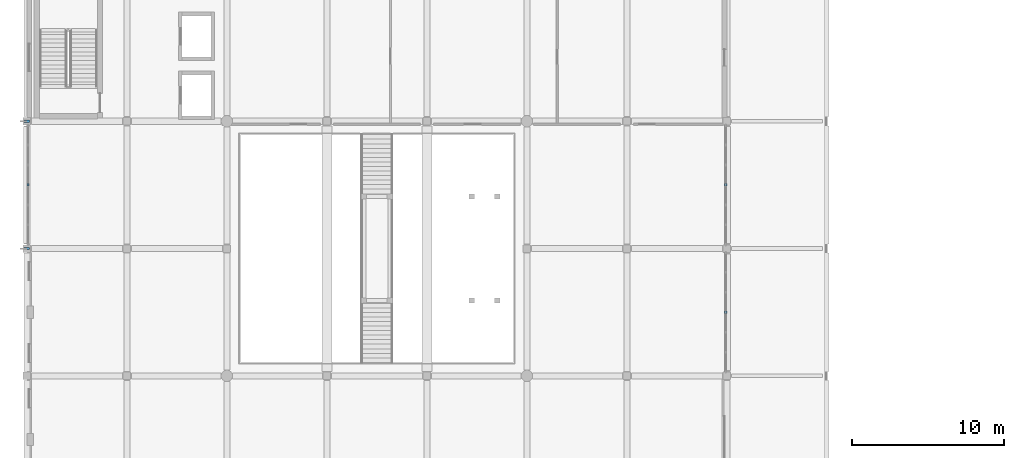
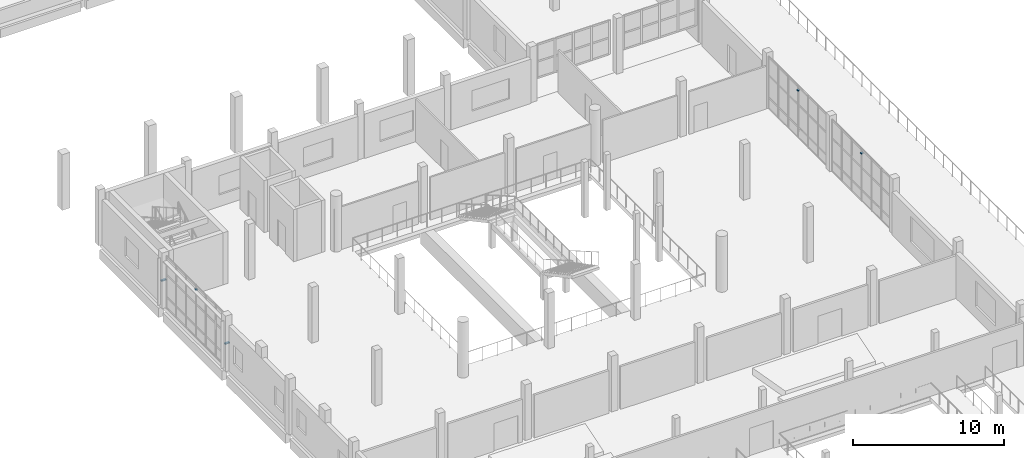
# One storey, part 63 of 83: 5 discrete accessories.
"""IFC4 building model written with IfcOpenShell, lengths in metres."""

from ifc_helpers import new_model, si_unit, direction, frame, origin, origin_2d, place, context, subcontext, project, spatial, rectangle, extrude, material, layer, layer_set, type_object, element, save


model = new_model("IFC4")

# Units and contexts
model_context = context("Model", 3, precision=1e-05, world=origin(), true_north=direction((0.0, 1.0)))
body_context = subcontext(model_context, "Body", "Model", "MODEL_VIEW")
ifc_project = project(units=[si_unit("LENGTHUNIT", "METRE"), si_unit("AREAUNIT", "SQUARE_METRE"), si_unit("VOLUMEUNIT", "CUBIC_METRE"), si_unit("PLANEANGLEUNIT", "RADIAN"), si_unit("MASSUNIT", "GRAM", prefix="KILO")], contexts=[model_context])

# Site, building, storey
site_placement = place(None, origin())
site = spatial("IfcSite", under=ifc_project, at=site_placement, CompositionType="ELEMENT")
building_placement = place(site_placement, origin())
building = spatial("IfcBuilding", under=site, at=building_placement, Name="Qaldarim Faculty of Natural and Applied Sciences", CompositionType="ELEMENT")
storey_placement = place(building_placement, frame((0.0, 0.0, 5.39990234375)))
storey = spatial("IfcBuildingStorey", under=building, at=storey_placement, Name="L01", CompositionType="ELEMENT", Elevation=5.39990234375)

# Discrete accessories
ifc_material = material(Name="Architectural stainless steel 316", Category="steel")
ifc_layer = layer(ifc_material, 0.080078125)
ifc_layer_set = layer_set([ifc_layer], Name="Architectural stainless steel 316")
discrete_accessory_type = type_object("IfcDiscreteAccessoryType", Name="FacadeBracket-SS120", PredefinedType="BRACKET", material=ifc_layer_set)
for number, where, z_axis, x_axis, name in (
    (1, (0.080078125, 71.39990234375, 3.81005859375), (0.0, 0.0, 1.0), (0.0, 1.0, 0.0), "Solar louvre support bracket SHD-L01-W-X01Y09"),
    (2, (46.1201171875, 63.0, 3.81005859375), (0.0, 0.0, 1.0), (0.0, 1.0, 0.0), "Solar louvre support bracket SHD-L01-E-X07Y08"),
    (3, (46.1201171875, 71.39990234375, 3.81005859375), (0.0, 0.0, 1.0), (0.0, 1.0, 0.0), "Solar louvre support bracket SHD-L01-E-X07Y09"),
):
    element("IfcDiscreteAccessory", number, at=place(storey_placement, frame(where, z_axis=z_axis, x_axis=x_axis)), inside=storey, type_object=discrete_accessory_type, Name=name, PredefinedType="BRACKET", context=body_context, shape_type="SweptSolid", body=[
        extrude(rectangle(XDim=0.159912109375, YDim=0.159912109375, at=origin_2d()), origin(), (0.0, 0.0, 1.0), 0.080078125),
    ])
for number, where, z_axis, x_axis, name in (
    (4, (0.0, 67.199951171875, 2.050048828125), (0.0, 0.0, 1.0), (1.0, 0.0, 0.0), "Solar fin bracket FIN-L01-X01Y09"),
    (5, (0.0, 75.60009765625, 2.050048828125), (0.0, 0.0, 1.0), (1.0, 0.0, 0.0), "Solar fin bracket FIN-L01-X01Y10"),
):
    element("IfcDiscreteAccessory", number, at=place(storey_placement, frame(where, z_axis=z_axis, x_axis=x_axis)), inside=storey, type_object=discrete_accessory_type, Name=name, PredefinedType="BRACKET", context=body_context, shape_type="SweptSolid", body=[
        extrude(rectangle(XDim=0.360107421875, YDim=0.139892578125, at=origin_2d()), origin(), (0.0, 0.0, 1.0), 0.10009765625),
    ])

save(model, "model.ifc")
